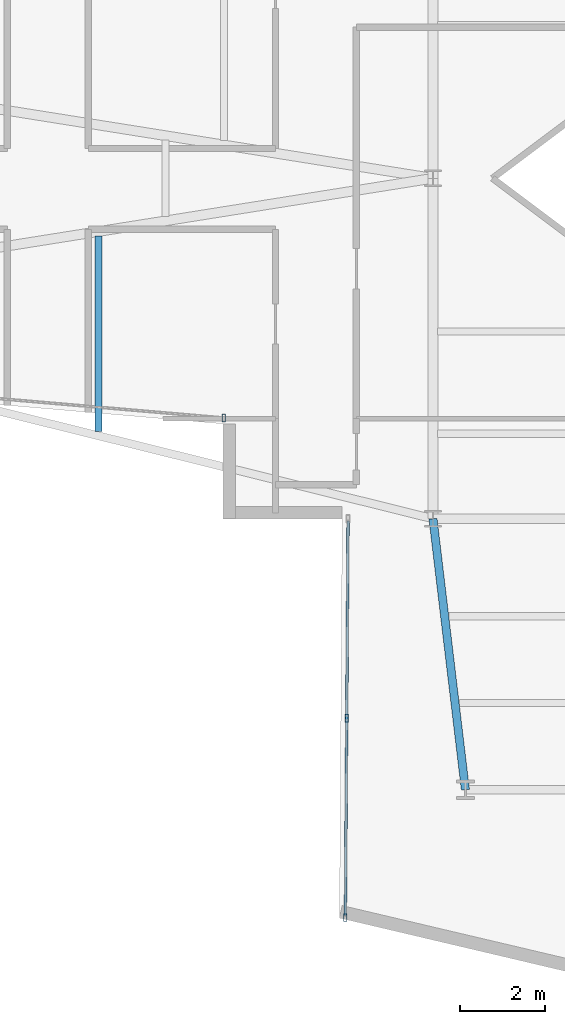
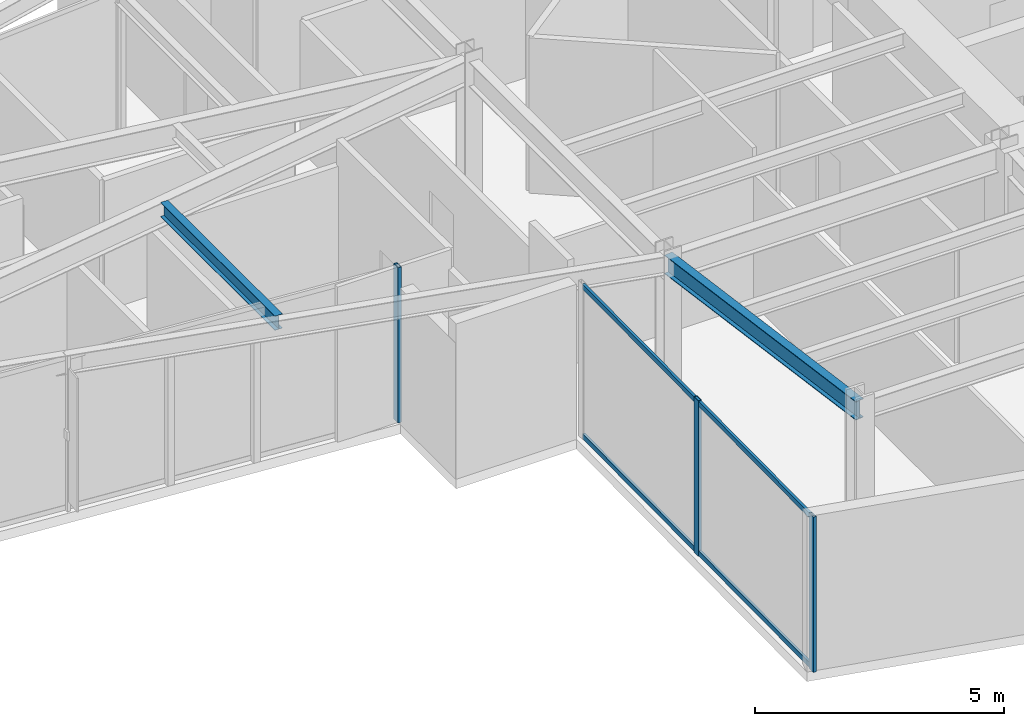
# One storey, part 4 of 26: 5 members, 2 beams, 2 elements without a shape of their own.
"""IFC4 building model written with IfcOpenShell, lengths in metres."""

from ifc_helpers import new_model, si_unit, direction, frame, origin, origin_2d, place, context, subcontext, project, spatial, hollow_rectangle, i_section, extrude, material, layer, layer_set, material_profile, profile_set, type_object, element, aggregate, save


model = new_model("IFC4")

# Units and contexts
model_context = context("Model", 3, precision=1e-05, world=origin(), true_north=direction((0.0, 1.0)))
body_context = subcontext(model_context, "Body", "Model", "MODEL_VIEW")
ifc_project = project(units=[si_unit("LENGTHUNIT", "METRE"), si_unit("AREAUNIT", "SQUARE_METRE"), si_unit("VOLUMEUNIT", "CUBIC_METRE"), si_unit("PLANEANGLEUNIT", "RADIAN"), si_unit("MASSUNIT", "GRAM", prefix="KILO")], contexts=[model_context])

# Site, building, storey
site_placement = place(None, origin())
site = spatial("IfcSite", under=ifc_project, at=site_placement, CompositionType="ELEMENT")
building_placement = place(site_placement, origin())
building = spatial("IfcBuilding", under=site, at=building_placement, Name="Veymaron Broadcast Tower", CompositionType="ELEMENT")
storey_placement = place(building_placement, frame((0.0, 0.0, 153.300048828125)))
storey = spatial("IfcBuildingStorey", under=building, at=storey_placement, Name="L35", CompositionType="ELEMENT", Elevation=153.300048828125)

# Beams
ifc_material_1 = material(Name="Structural steel ASTM A992 Gr 50", Category="steel")
ifc_material_profile_1 = material_profile(ifc_material_1, i_section(OverallWidth=0.1708984375, OverallDepth=0.35498046875, WebThickness=0.007080078125, FlangeThickness=0.01171875, at=origin_2d()), Name="W360X51")
ifc_profile_set_1 = profile_set([ifc_material_profile_1], Name="Structural steel ASTM A992 Gr 50")
beam_type_1 = type_object("IfcBeamType", Name="BM-JS2", PredefinedType="JOIST", material=ifc_profile_set_1)
beam_1_placement = place(storey_placement, frame((23.34130859375, 18.048828125, 3.632568359375), z_axis=(0.0, 1.0, 0.0), x_axis=(-1.0, 0.0, 0.0)))
element("IfcBeam", 1, at=beam_1_placement, inside=storey, type_object=beam_type_1, Name="L35 Arm-A secondary joist 2S", PredefinedType="JOIST", context=body_context, shape_type="SweptSolid", body=[
    extrude(i_section(OverallWidth=0.1708984375, OverallDepth=0.35498046875, WebThickness=0.007080078125, FlangeThickness=0.01171875, at=origin_2d()), origin(), (0.0, 0.0, 1.0), 4.599853515625),
])
ifc_material_profile_2 = material_profile(ifc_material_1, i_section(OverallWidth=0.19091796875, OverallDepth=0.4599609375, WebThickness=0.010009765625, FlangeThickness=0.01611328125, at=origin_2d()), Name="W460X82")
ifc_profile_set_2 = profile_set([ifc_material_profile_2], Name="Structural steel ASTM A992 Gr 50")
beam_type_2 = type_object("IfcBeamType", Name="BM-SP1", PredefinedType="SPANDREL", material=ifc_profile_set_2)
beam_2_placement = place(storey_placement, frame((31.199951171875, 16.0, 3.579833984375), z_axis=(0.118771439522, -0.992921620851, 0.0), x_axis=(0.992921620851, 0.118771439522, 0.0)))
element("IfcBeam", 2, at=beam_2_placement, inside=storey, type_object=beam_type_2, Name="L35 primary structural floor girder", PredefinedType="SPANDREL", context=body_context, shape_type="SweptSolid", body=[
    extrude(i_section(OverallWidth=0.19091796875, OverallDepth=0.4599609375, WebThickness=0.010009765625, FlangeThickness=0.01611328125, at=origin_2d()), origin(), (0.0, 0.0, 1.0), 6.413330078125),
])

# Curtain wall, member
ifc_material_2 = material(Name="Anodised aluminium AA 6063-T6 and laminated low-E dark glass", Category="aluminium")
ifc_layer = layer(ifc_material_2, 0.179931640625)
ifc_layer_set = layer_set([ifc_layer], Name="Anodised aluminium AA 6063-T6 and laminated low-E dark glass")
curtain_wall_type = type_object("IfcCurtainWallType", Name="CW-SYS-03", PredefinedType="NOTDEFINED", material=ifc_layer_set)
curtain_wall_1_placement = place(storey_placement, origin())
curtain_wall_1 = element("IfcCurtainWall", 3, at=curtain_wall_1_placement, inside=storey, type_object=curtain_wall_type, Name="L35 dark-glass curtain wall CW-L35-E14-1", PredefinedType="NOTDEFINED")
ifc_material_3 = material(Name="Anodised aluminium AA 6063-T6", Category="aluminium")
ifc_material_profile_3 = material_profile(ifc_material_3, hollow_rectangle(XDim=0.074951171875, YDim=0.179931640625, WallThickness=0.0048828125, at=origin_2d()), Name="AL180X75X5")
ifc_profile_set_3 = profile_set([ifc_material_profile_3], Name="Anodised aluminium AA 6063-T6")
member_type_1 = type_object("IfcMemberType", Name="CW-MUL-02", PredefinedType="MULLION", material=ifc_profile_set_3)
member_1_placement = place(storey_placement, frame((26.282470703125, 18.368896484375, 0.0), z_axis=(0.0, 0.0, 1.0), x_axis=(1.0, 0.0, 0.0)))
member_1 = element("IfcMember", 4, at=member_1_placement, type_object=member_type_1, Name="CW-L35-E14-1 mullion 2", PredefinedType="MULLION", context=body_context, shape_type="SweptSolid", body=[
    extrude(hollow_rectangle(XDim=0.074951171875, YDim=0.179931640625, WallThickness=0.0048828125, at=origin_2d()), origin(), (0.0, 0.0, 1.0), 3.81005859375),
])
aggregate(curtain_wall_1, [member_1])

# Curtain wall, members
curtain_wall_2_placement = place(storey_placement, origin())
curtain_wall_2 = element("IfcCurtainWall", 5, at=curtain_wall_2_placement, inside=storey, type_object=curtain_wall_type, Name="L35 dark-glass curtain wall CW-L35-E17-1", PredefinedType="NOTDEFINED")
member_2_placement = place(storey_placement, frame((29.173095703125, 11.3125, 0.0), z_axis=(0.0, 0.0, 1.0), x_axis=(1.0, 0.0, 0.0)))
member_2 = element("IfcMember", 6, at=member_2_placement, type_object=member_type_1, Name="CW-L35-E17-1 mullion 1", PredefinedType="MULLION", context=body_context, shape_type="SweptSolid", body=[
    extrude(hollow_rectangle(XDim=0.074951171875, YDim=0.179931640625, WallThickness=0.0048828125, at=origin_2d()), origin(), (0.0, 0.0, 1.0), 3.81005859375),
])
member_3_placement = place(storey_placement, frame((29.14111328125, 6.626220703125, 0.0), z_axis=(0.0, 0.0, 1.0), x_axis=(1.0, 0.0, 0.0)))
member_3 = element("IfcMember", 7, at=member_3_placement, type_object=member_type_1, Name="CW-L35-E17-1 mullion 2", PredefinedType="MULLION", context=body_context, shape_type="SweptSolid", body=[
    extrude(hollow_rectangle(XDim=0.074951171875, YDim=0.179931640625, WallThickness=0.0048828125, at=origin_2d()), origin(), (0.0, 0.0, 1.0), 3.81005859375),
])
ifc_material_profile_4 = material_profile(ifc_material_3, hollow_rectangle(XDim=0.06005859375, YDim=0.1201171875, WallThickness=0.00390625, at=origin_2d()), Name="AL120X60X4")
ifc_profile_set_4 = profile_set([ifc_material_profile_4], Name="Anodised aluminium AA 6063-T6")
member_type_2 = type_object("IfcMemberType", Name="CW-TRN-02", PredefinedType="USERDEFINED", material=ifc_profile_set_4)
member_4_placement = place(storey_placement, frame((29.20458984375, 15.948974609375, 0.070068359375), z_axis=(-0.006819040527, -0.999976750073, 0.0), x_axis=(0.999976750073, -0.006819040527, 0.0)))
member_4 = element("IfcMember", 8, at=member_4_placement, type_object=member_type_2, Name="CW-L35-E17-1 transom B", ObjectType="TRANSOM", PredefinedType="USERDEFINED", context=body_context, shape_type="SweptSolid", body=[
    extrude(hollow_rectangle(XDim=0.06005859375, YDim=0.1201171875, WallThickness=0.00390625, at=origin_2d()), origin(), (0.0, 0.0, 1.0), 9.27294921875),
])
member_5_placement = place(storey_placement, frame((29.20458984375, 15.948974609375, 3.739990234375), z_axis=(-0.006819040527, -0.999976750073, 0.0), x_axis=(0.999976750073, -0.006819040527, 0.0)))
member_5 = element("IfcMember", 9, at=member_5_placement, type_object=member_type_2, Name="CW-L35-E17-1 transom T", ObjectType="TRANSOM", PredefinedType="USERDEFINED", context=body_context, shape_type="SweptSolid", body=[
    extrude(hollow_rectangle(XDim=0.06005859375, YDim=0.1201171875, WallThickness=0.00390625, at=origin_2d()), origin(), (0.0, 0.0, 1.0), 9.27294921875),
])
aggregate(curtain_wall_2, [member_2, member_3, member_4, member_5])

save(model, "model.ifc")
